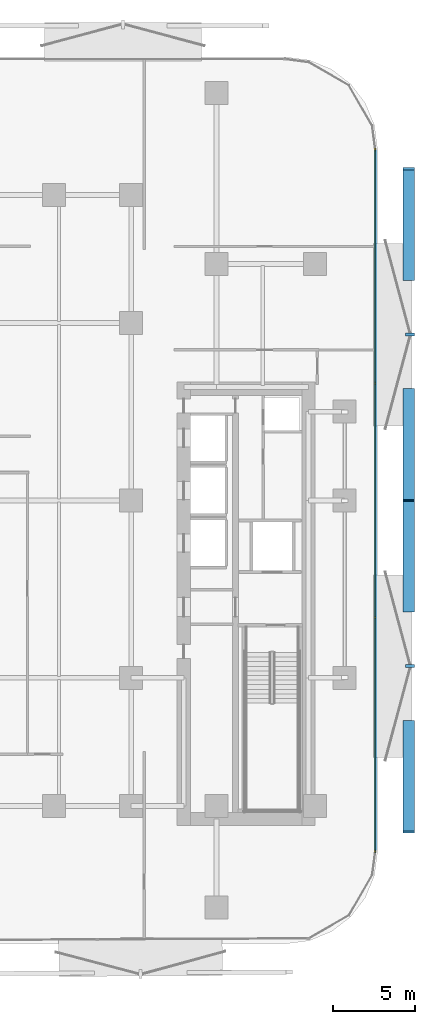
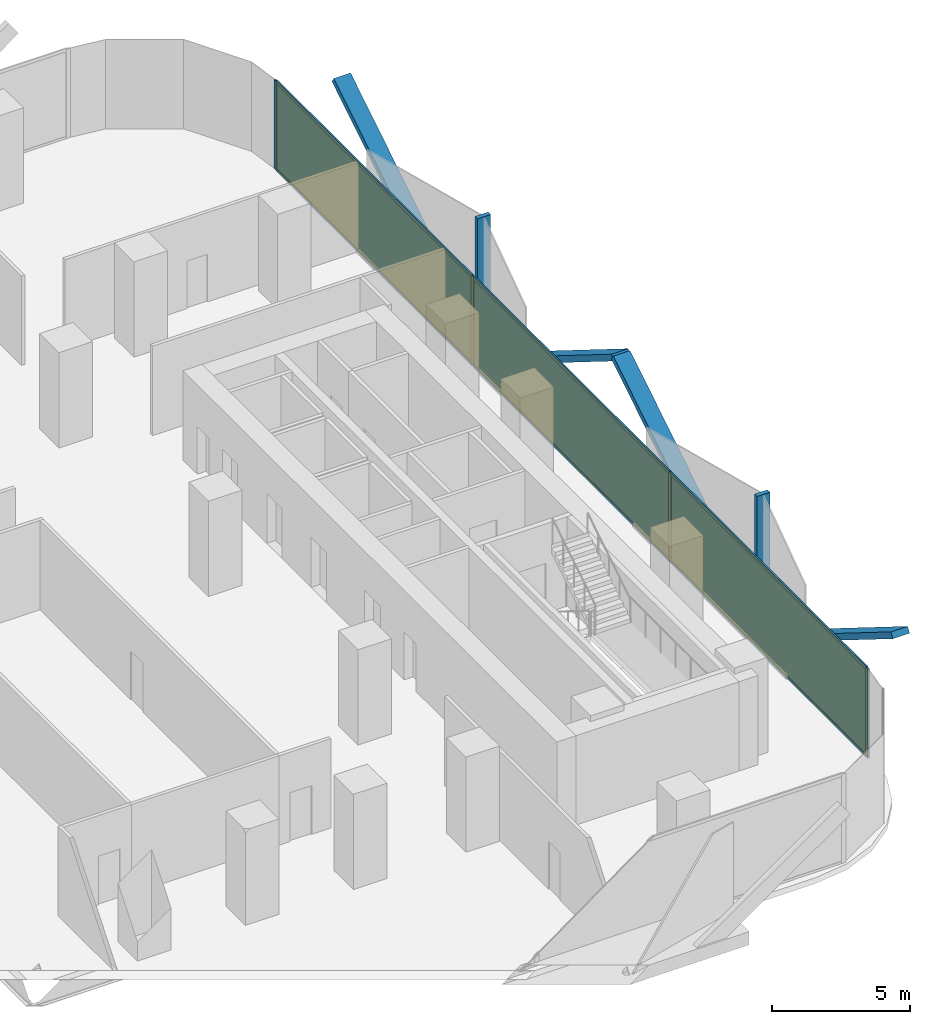
# One storey, part 9 of 15: 16 members, 3 plates, 1 curtain wall.
"""IFC4 building model written with IfcOpenShell, lengths in metres."""

import ifcopenshell
import ifcopenshell.guid

model = None  # the IFC model being written
_history = None  # IfcOwnerHistory: only IFC2X3 demands one
_inside = {}  # id of a spatial element -> (the spatial element, [elements in it])
_under = {}  # id of a project, library or spatial element -> (it, [spatial elements below it])
_declared = {}  # id of a project -> (the project, [libraries it declares])
_typed = {}  # id of a type object -> (the type object, [elements of that type])
_made_of = {}  # id of a material, layer set ... -> (it, [elements and type objects made of it])


def new_model(schema):
    """Start an empty IFC model of exactly this schema.

    Asked for "IFC4X3", IfcOpenShell would pick the latest addendum, in which some entities
    have other attributes; the version numbers below select the first issue.
    IFC2X3 requires an IfcOwnerHistory on every rooted entity: one is made here for all.
    """
    global model, _history
    if schema == "IFC4X3":
        model = ifcopenshell.file(schema_version=(4, 3, 0, 0))
    else:
        model = ifcopenshell.file(schema=schema)
    _inside.clear()
    _under.clear()
    _declared.clear()
    _typed.clear()
    _made_of.clear()
    _history = None
    if model.schema == "IFC2X3":
        org = make("IfcOrganization", Name="unknown")
        user = make(
            "IfcPersonAndOrganization",
            ThePerson=make("IfcPerson", FamilyName="unknown"),
            TheOrganization=org,
        )
        app = make(
            "IfcApplication",
            ApplicationDeveloper=org,
            Version="unknown",
            ApplicationFullName="unknown",
            ApplicationIdentifier="unknown",
        )
        _history = make(
            "IfcOwnerHistory",
            OwningUser=user,
            OwningApplication=app,
            ChangeAction="ADDED",
            CreationDate=0,
        )
    return model


def make(cls, **values):
    """One entity of the class cls with the attributes given. An attribute that is None is left unset."""
    return model.create_entity(
        cls, **{name: value for name, value in values.items() if value is not None}
    )


def rooted(cls, **values):
    """An entity with a GlobalId (a new one), such as an element, a storey or a relation."""
    return make(cls, GlobalId=ifcopenshell.guid.new(), OwnerHistory=_history, **values)


def si_unit(unit_type, name, prefix=None):
    """IfcSIUnit, for example si_unit("LENGTHUNIT", "METRE", prefix="MILLI")."""
    return make("IfcSIUnit", UnitType=unit_type, Prefix=prefix, Name=name)


def assignment(units):
    """IfcUnitAssignment: the units of a project."""
    return None if units is None else make("IfcUnitAssignment", Units=units)


def point(xyz):
    """IfcCartesianPoint."""
    return None if xyz is None else make("IfcCartesianPoint", Coordinates=xyz)


def direction(xyz):
    """IfcDirection."""
    return None if xyz is None else make("IfcDirection", DirectionRatios=xyz)


def frame(location, z_axis=None, x_axis=None):
    """IfcAxis2Placement3D, a coordinate frame: its origin and axes. An axis left out is left unset."""
    return make(
        "IfcAxis2Placement3D",
        Location=point(location),
        Axis=direction(z_axis),
        RefDirection=direction(x_axis),
    )


def frame_2d(location, x_axis=None):
    """IfcAxis2Placement2D, a coordinate frame in the plane: its origin and x axis."""
    return make(
        "IfcAxis2Placement2D", Location=point(location), RefDirection=direction(x_axis)
    )


def origin():
    """The frame at (0, 0, 0) with its axes left unset."""
    return frame((0.0, 0.0, 0.0))


def origin_2d():
    """The frame at (0, 0) in the plane with its x axis left unset."""
    return frame_2d((0.0, 0.0))


def place(relative_to, where):
    """IfcLocalPlacement: puts the frame where relative to a parent placement (None: the world)."""
    return make(
        "IfcLocalPlacement", PlacementRelTo=relative_to, RelativePlacement=where
    )


def context(
    kind, dimensions, precision=None, world=None, true_north=None, identifier=None
):
    """IfcGeometricRepresentationContext, for example the 3D "Model" context."""
    return make(
        "IfcGeometricRepresentationContext",
        ContextIdentifier=identifier,
        ContextType=kind,
        CoordinateSpaceDimension=dimensions,
        Precision=precision,
        WorldCoordinateSystem=world,
        TrueNorth=true_north,
    )


def subcontext(parent, identifier, kind, view, scale=None):
    """IfcGeometricRepresentationSubContext, for example "Body" below "Model"."""
    return make(
        "IfcGeometricRepresentationSubContext",
        ContextIdentifier=identifier,
        ContextType=kind,
        ParentContext=parent,
        TargetScale=scale,
        TargetView=view,
    )


def project(units=None, contexts=None):
    """IfcProject with its units and contexts."""
    return rooted(
        "IfcProject",
        Name="project",
        RepresentationContexts=contexts,
        UnitsInContext=assignment(units),
    )


def spatial(cls, under=None, at=None, **own):
    """A site, building, storey or space (cls), placed at a placement, below another one or the project."""
    s = rooted(cls, ObjectPlacement=at, **own)
    if under is not None:
        _under.setdefault(under.id(), (under, []))[1].append(s)
    return s


def profile(cls, at=None, kind="AREA", **sizes):
    """A parametric profile (cls). Its sizes go by their IFC names, for example OverallWidth=200.0."""
    return make(cls, ProfileType=kind, Position=at, **sizes)


def rectangle(**sizes):
    """IfcRectangleProfileDef."""
    return profile("IfcRectangleProfileDef", **sizes)


def extrude(swept, where, along, depth):
    """IfcExtrudedAreaSolid: the profile swept, set in the frame where, extruded along a direction by depth."""
    return make(
        "IfcExtrudedAreaSolid",
        SweptArea=swept,
        Position=where,
        ExtrudedDirection=direction(along),
        Depth=depth,
    )


def shape(context_of_items, identifier, shape_type, items):
    """IfcShapeRepresentation: the items that make up one representation, for example the "Body"."""
    return make(
        "IfcShapeRepresentation",
        ContextOfItems=context_of_items,
        RepresentationIdentifier=identifier,
        RepresentationType=shape_type,
        Items=items,
    )


def material(Name=None, Category=None):
    """IfcMaterial."""
    return make("IfcMaterial", Name=Name, Category=Category)


def layer(
    of_material, thickness, ventilated=None, Name=None, Category=None, Priority=None
):
    """IfcMaterialLayer: one layer of a wall or slab, of a material (None: an air gap)."""
    return make(
        "IfcMaterialLayer",
        Material=of_material,
        LayerThickness=thickness,
        IsVentilated=ventilated,
        Name=Name,
        Category=Category,
        Priority=Priority,
    )


def layer_set(layers, Name=None):
    """IfcMaterialLayerSet."""
    return make("IfcMaterialLayerSet", MaterialLayers=layers, LayerSetName=Name)


def material_profile(
    of_material, cross_section, Name=None, Category=None, Priority=None
):
    """IfcMaterialProfile: a cross section and its material."""
    return make(
        "IfcMaterialProfile",
        Name=Name,
        Material=of_material,
        Profile=cross_section,
        Priority=Priority,
        Category=Category,
    )


def profile_set(profiles, Name=None, composite=None):
    """IfcMaterialProfileSet."""
    return make(
        "IfcMaterialProfileSet",
        Name=Name,
        MaterialProfiles=profiles,
        CompositeProfile=composite,
    )


def made_of(thing, what):
    """Note that an element or type object is made of a material, layer set ...; save() writes the relation."""
    if what is not None:
        _made_of.setdefault(what.id(), (what, []))[1].append(thing)
    return thing


def type_object(cls, material=None, **own):
    """A type object (cls), such as IfcWallType, which elements share."""
    return made_of(rooted(cls, **own), material)


def element(
    cls,
    number,
    at=None,
    inside=None,
    cuts=None,
    type_object=None,
    material=None,
    context=None,
    identifier="Body",
    shape_type=None,
    held_by="IfcProductDefinitionShape",
    body=None,
    shapes=None,
    **own,
):
    """One element of the class cls, such as IfcWall. Its Tag is "e" and its number.

    at: its placement. inside: the storey or other place that contains it. cuts: it is an
    opening in that element (IfcRelVoidsElement). A single representation is given by context,
    identifier, shape_type and body (its items); several are given by shapes. held_by: the class
    of the entity that holds the representations. save() writes the other relations.
    """
    e = rooted(cls, Tag="e%d" % number, ObjectPlacement=at, **own)
    if body is not None:
        shapes = [shape(context, identifier, shape_type, body)]
    if shapes is not None:
        e.Representation = make(held_by, Representations=shapes)
    if inside is not None:
        _inside.setdefault(inside.id(), (inside, []))[1].append(e)
    if cuts is not None:
        rooted(
            "IfcRelVoidsElement", RelatingBuildingElement=cuts, RelatedOpeningElement=e
        )
    if type_object is not None:
        _typed.setdefault(type_object.id(), (type_object, []))[1].append(e)
    return made_of(e, material)


def aggregate(whole, parts):
    """IfcRelAggregates: a whole, such as a stair, and the parts it consists of."""
    return rooted("IfcRelAggregates", RelatingObject=whole, RelatedObjects=parts)


def save(model, path):
    """Write the relations noted so far, then the file.

    IfcRelAggregates (storeys below a building ...), IfcRelContainedInSpatialStructure (elements
    in a storey), IfcRelDefinesByType, IfcRelAssociatesMaterial and IfcRelDeclares: one each for
    every whole, place, type object, material and project.
    """
    for whole, parts in _under.values():
        aggregate(whole, parts)
    for where, things in _inside.values():
        rooted(
            "IfcRelContainedInSpatialStructure",
            RelatedElements=things,
            RelatingStructure=where,
        )
    for kind, things in _typed.values():
        rooted("IfcRelDefinesByType", RelatedObjects=things, RelatingType=kind)
    for what, things in _made_of.values():
        rooted("IfcRelAssociatesMaterial", RelatedObjects=things, RelatingMaterial=what)
    for by, libraries in _declared.values():
        rooted("IfcRelDeclares", RelatingContext=by, RelatedDefinitions=libraries)
    model.write(path)


model = new_model("IFC4")

# Units and contexts
model_context = context("Model", 3, precision=1e-05, world=origin(), true_north=direction((0.0, 1.0)))
body_context = subcontext(model_context, "Body", "Model", "MODEL_VIEW")
ifc_project = project(units=[si_unit("LENGTHUNIT", "METRE"), si_unit("AREAUNIT", "SQUARE_METRE"), si_unit("VOLUMEUNIT", "CUBIC_METRE"), si_unit("PLANEANGLEUNIT", "RADIAN"), si_unit("MASSUNIT", "GRAM", prefix="KILO")], contexts=[model_context])

# Member
ifc_material_1 = material(Name="Anodised Bronze Aluminium 6063-T6", Category="aluminium")
ifc_material_profile_1 = material_profile(ifc_material_1, rectangle(XDim=0.260009765625, YDim=0.699951171875, at=origin_2d()))
ifc_profile_set_1 = profile_set([ifc_material_profile_1], Name="Anodised Bronze Aluminium 6063-T6")
member_type_1 = type_object("IfcMemberType", Name="Bronze Diamond Solar-Screen Lattice Rib BDL-700", PredefinedType="MULLION", material=ifc_profile_set_1)
site_placement = place(None, origin())
building_placement = place(site_placement, origin())
storey_placement = place(building_placement, frame((0.0, 0.0, 47.0)))
member_1_placement = place(storey_placement, frame((26.10009765625, 6.730224609375, -0.1298828125), z_axis=(0.0, -0.848362902952, 0.529415134744), x_axis=(0.0, -0.529415134744, -0.848362902952)))
member_1 = element("IfcMember", 1, at=member_1_placement, type_object=member_type_1, Name="L11 Bronze Diamond Solar Screen Lattice Rib 47A", PredefinedType="MULLION", context=body_context, shape_type="SweptSolid", body=[
    extrude(rectangle(XDim=0.260009765625, YDim=0.699951171875, at=origin_2d()), origin(), (0.0, 0.0, 1.0), 7.93310546875),
])

member_2_placement = place(storey_placement, frame((26.10009765625, 13.46044921875, -0.1298828125), z_axis=(0.0, 0.848371528126, 0.529401313057), x_axis=(0.0, 0.529401313057, -0.848371528126)))
member_2 = element("IfcMember", 2, at=member_2_placement, type_object=member_type_1, Name="L11 Bronze Diamond Solar Screen Lattice Rib 47B", PredefinedType="MULLION", context=body_context, shape_type="SweptSolid", body=[
    extrude(rectangle(XDim=0.260009765625, YDim=0.699951171875, at=origin_2d()), origin(), (0.0, 0.0, 1.0), 7.933349609375),
])

member_3_placement = place(storey_placement, frame((26.10009765625, -13.46044921875, -0.1298828125), z_axis=(0.0, -0.848371528126, 0.529401313057), x_axis=(0.0, -0.529401313057, -0.848371528126)))
member_3 = element("IfcMember", 3, at=member_3_placement, type_object=member_type_1, Name="L11 Bronze Diamond Solar Screen Lattice Rib 48A", PredefinedType="MULLION", context=body_context, shape_type="SweptSolid", body=[
    extrude(rectangle(XDim=0.260009765625, YDim=0.699951171875, at=origin_2d()), origin(), (0.0, 0.0, 1.0), 7.933349609375),
])

member_4_placement = place(storey_placement, frame((26.10009765625, -6.730224609375, -0.1298828125), z_axis=(0.0, 0.848362902952, 0.529415134744), x_axis=(0.0, 0.529415134744, -0.848362902952)))
member_4 = element("IfcMember", 4, at=member_4_placement, type_object=member_type_1, Name="L11 Bronze Diamond Solar Screen Lattice Rib 48B", PredefinedType="MULLION", context=body_context, shape_type="SweptSolid", body=[
    extrude(rectangle(XDim=0.260009765625, YDim=0.699951171875, at=origin_2d()), origin(), (0.0, 0.0, 1.0), 7.93310546875),
])

ifc_material_2 = material(Name="Anodised Bronze Aluminium 6063-T6", Category="aluminium")
ifc_material_profile_2 = material_profile(ifc_material_2, rectangle(XDim=0.179931640625, YDim=0.5400390625, at=origin_2d()))
ifc_profile_set_2 = profile_set([ifc_material_profile_2], Name="Anodised Bronze Aluminium 6063-T6")
member_type_2 = type_object("IfcMemberType", Name="Bronze Solar-Screen Vertical Fold Fin BSF-540", PredefinedType="MULLION", material=ifc_profile_set_2)
member_5_placement = place(storey_placement, frame((26.179931640625, 10.095458984375, -0.1298828125), z_axis=(0.0, 0.0, 1.0), x_axis=(0.0, -1.0, 0.0)))
member_5 = element("IfcMember", 5, at=member_5_placement, type_object=member_type_2, Name="L11 Bronze Solar Screen Vertical Fin 47", PredefinedType="MULLION", context=body_context, shape_type="SweptSolid", body=[
    extrude(rectangle(XDim=0.179931640625, YDim=0.5400390625, at=origin_2d()), origin(), (0.0, 0.0, 1.0), 4.199951171875),
])

member_6_placement = place(storey_placement, frame((26.179931640625, -10.095458984375, -0.1298828125), z_axis=(0.0, 0.0, 1.0), x_axis=(0.0, -1.0, 0.0)))
member_6 = element("IfcMember", 6, at=member_6_placement, type_object=member_type_2, Name="L11 Bronze Solar Screen Vertical Fin 48", PredefinedType="MULLION", context=body_context, shape_type="SweptSolid", body=[
    extrude(rectangle(XDim=0.179931640625, YDim=0.5400390625, at=origin_2d()), origin(), (0.0, 0.0, 1.0), 4.199951171875),
])

ifc_material_3 = material(Name="Anodised Bronze Aluminium 6063-T6", Category="aluminium")
ifc_material_profile_3 = material_profile(ifc_material_3, rectangle(XDim=0.06494140625, YDim=0.179931640625, at=origin_2d()))
ifc_profile_set_3 = profile_set([ifc_material_profile_3], Name="Anodised Bronze Aluminium 6063-T6")
member_type_3 = type_object("IfcMemberType", Name="CW-Z1 Mullion 65x180", PredefinedType="MULLION", material=ifc_profile_set_3)
member_7_placement = place(storey_placement, frame((24.06005859375, 21.3583984375, 0.0), z_axis=(0.0, 0.0, 1.0), x_axis=(1.0, 0.0, 0.0)))
member_7 = element("IfcMember", 7, at=member_7_placement, type_object=member_type_3, Name="CW-Z1 mullion 1", PredefinedType="MULLION", context=body_context, shape_type="SweptSolid", body=[
    extrude(rectangle(XDim=0.06494140625, YDim=0.179931640625, at=origin_2d()), origin(), (0.0, 0.0, 1.0), 3.93994140625),
])

member_8_placement = place(storey_placement, frame((24.06005859375, 7.13037109375, 0.0), z_axis=(0.0, 0.0, 1.0), x_axis=(1.0, 0.0, 0.0)))
member_8 = element("IfcMember", 8, at=member_8_placement, type_object=member_type_3, Name="CW-Z1 mullion 2", PredefinedType="MULLION", context=body_context, shape_type="SweptSolid", body=[
    extrude(rectangle(XDim=0.06494140625, YDim=0.179931640625, at=origin_2d()), origin(), (0.0, 0.0, 1.0), 3.93994140625),
])

member_9_placement = place(storey_placement, frame((24.06005859375, -7.13037109375, 0.0), z_axis=(0.0, 0.0, 1.0), x_axis=(1.0, 0.0, 0.0)))
member_9 = element("IfcMember", 9, at=member_9_placement, type_object=member_type_3, Name="CW-Z1 mullion 3", PredefinedType="MULLION", context=body_context, shape_type="SweptSolid", body=[
    extrude(rectangle(XDim=0.06494140625, YDim=0.179931640625, at=origin_2d()), origin(), (0.0, 0.0, 1.0), 3.93994140625),
])

member_10_placement = place(storey_placement, frame((24.06005859375, -21.3583984375, 0.0), z_axis=(0.0, 0.0, 1.0), x_axis=(1.0, 0.0, 0.0)))
member_10 = element("IfcMember", 10, at=member_10_placement, type_object=member_type_3, Name="CW-Z1 mullion 4", PredefinedType="MULLION", context=body_context, shape_type="SweptSolid", body=[
    extrude(rectangle(XDim=0.06494140625, YDim=0.179931640625, at=origin_2d()), origin(), (0.0, 0.0, 1.0), 3.93994140625),
])

ifc_material_4 = material(Name="Anodised Bronze Aluminium 6063-T6", Category="aluminium")
ifc_material_profile_4 = material_profile(ifc_material_4, rectangle(XDim=0.06494140625, YDim=0.139892578125, at=origin_2d()))
ifc_profile_set_4 = profile_set([ifc_material_profile_4], Name="Anodised Bronze Aluminium 6063-T6")
member_type_4 = type_object("IfcMemberType", Name="CW-Z1 Transom 65x140", PredefinedType="USERDEFINED", material=ifc_profile_set_4)
member_11_placement = place(storey_placement, frame((24.06005859375, 21.32568359375, 0.032470703125), z_axis=(0.0, -1.0, 0.0), x_axis=(1.0, 0.0, 0.0)))
member_11 = element("IfcMember", 11, at=member_11_placement, type_object=member_type_4, Name="CW-Z1 transom 1.1", ObjectType="TRANSOM", PredefinedType="USERDEFINED", context=body_context, shape_type="SweptSolid", body=[
    extrude(rectangle(XDim=0.06494140625, YDim=0.139892578125, at=origin_2d()), origin(), (0.0, 0.0, 1.0), 14.162841796875),
])

member_12_placement = place(storey_placement, frame((24.06005859375, 21.32568359375, 3.907470703125), z_axis=(0.0, -1.0, 0.0), x_axis=(1.0, 0.0, 0.0)))
member_12 = element("IfcMember", 12, at=member_12_placement, type_object=member_type_4, Name="CW-Z1 transom 1.2", ObjectType="TRANSOM", PredefinedType="USERDEFINED", context=body_context, shape_type="SweptSolid", body=[
    extrude(rectangle(XDim=0.06494140625, YDim=0.139892578125, at=origin_2d()), origin(), (0.0, 0.0, 1.0), 14.162841796875),
])

member_13_placement = place(storey_placement, frame((24.06005859375, 7.09765625, 0.032470703125), z_axis=(0.0, -1.0, 0.0), x_axis=(1.0, 0.0, 0.0)))
member_13 = element("IfcMember", 13, at=member_13_placement, type_object=member_type_4, Name="CW-Z1 transom 2.1", ObjectType="TRANSOM", PredefinedType="USERDEFINED", context=body_context, shape_type="SweptSolid", body=[
    extrude(rectangle(XDim=0.06494140625, YDim=0.139892578125, at=origin_2d()), origin(), (0.0, 0.0, 1.0), 14.1953125),
])

member_14_placement = place(storey_placement, frame((24.06005859375, 7.09765625, 3.907470703125), z_axis=(0.0, -1.0, 0.0), x_axis=(1.0, 0.0, 0.0)))
member_14 = element("IfcMember", 14, at=member_14_placement, type_object=member_type_4, Name="CW-Z1 transom 2.2", ObjectType="TRANSOM", PredefinedType="USERDEFINED", context=body_context, shape_type="SweptSolid", body=[
    extrude(rectangle(XDim=0.06494140625, YDim=0.139892578125, at=origin_2d()), origin(), (0.0, 0.0, 1.0), 14.1953125),
])

member_15_placement = place(storey_placement, frame((24.06005859375, -7.162841796875, 0.032470703125), z_axis=(0.0, -1.0, 0.0), x_axis=(1.0, 0.0, 0.0)))
member_15 = element("IfcMember", 15, at=member_15_placement, type_object=member_type_4, Name="CW-Z1 transom 3.1", ObjectType="TRANSOM", PredefinedType="USERDEFINED", context=body_context, shape_type="SweptSolid", body=[
    extrude(rectangle(XDim=0.06494140625, YDim=0.139892578125, at=origin_2d()), origin(), (0.0, 0.0, 1.0), 14.162841796875),
])

member_16_placement = place(storey_placement, frame((24.06005859375, -7.162841796875, 3.907470703125), z_axis=(0.0, -1.0, 0.0), x_axis=(1.0, 0.0, 0.0)))
member_16 = element("IfcMember", 16, at=member_16_placement, type_object=member_type_4, Name="CW-Z1 transom 3.2", ObjectType="TRANSOM", PredefinedType="USERDEFINED", context=body_context, shape_type="SweptSolid", body=[
    extrude(rectangle(XDim=0.06494140625, YDim=0.139892578125, at=origin_2d()), origin(), (0.0, 0.0, 1.0), 14.162841796875),
])

# Plate
ifc_material_5 = material(Name="Low-E Solar Control Laminated Glass", Category="glass")
ifc_layer_1 = layer(ifc_material_5, 0.028076171875, Name="Low-E Solar Control Laminated Glass")
ifc_layer_set_1 = layer_set([ifc_layer_1], Name="Low-E Solar Control Laminated Glass")
plate_type = type_object("IfcPlateType", Name="CW-Z1 Low-E Double Glazed Panel 28mm", PredefinedType="CURTAIN_PANEL", material=ifc_layer_set_1)
plate_1_placement = place(storey_placement, frame((24.06005859375, 14.244384765625, 0.06494140625), z_axis=(0.0, 0.0, 1.0), x_axis=(0.0, -1.0, 0.0)))
plate_1 = element("IfcPlate", 17, at=plate_1_placement, type_object=plate_type, Name="CW-Z1 panel 1.1", PredefinedType="CURTAIN_PANEL", context=body_context, shape_type="SweptSolid", body=[
    extrude(rectangle(XDim=14.1630859375, YDim=0.028076171875, at=origin_2d()), origin(), (0.0, 0.0, 1.0), 3.81005859375),
])

plate_2_placement = place(storey_placement, frame((24.06005859375, 0.0, 0.06494140625), z_axis=(0.0, 0.0, 1.0), x_axis=(0.0, -1.0, 0.0)))
plate_2 = element("IfcPlate", 18, at=plate_2_placement, type_object=plate_type, Name="CW-Z1 panel 2.1", PredefinedType="CURTAIN_PANEL", context=body_context, shape_type="SweptSolid", body=[
    extrude(rectangle(XDim=14.195556640625, YDim=0.028076171875, at=origin_2d()), origin(), (0.0, 0.0, 1.0), 3.81005859375),
])

plate_3_placement = place(storey_placement, frame((24.06005859375, -14.244384765625, 0.06494140625), z_axis=(0.0, 0.0, 1.0), x_axis=(0.0, -1.0, 0.0)))
plate_3 = element("IfcPlate", 19, at=plate_3_placement, type_object=plate_type, Name="CW-Z1 panel 3.1", PredefinedType="CURTAIN_PANEL", context=body_context, shape_type="SweptSolid", body=[
    extrude(rectangle(XDim=14.1630859375, YDim=0.028076171875, at=origin_2d()), origin(), (0.0, 0.0, 1.0), 3.81005859375),
])

# Site, building, storey
site = spatial("IfcSite", under=ifc_project, at=site_placement, CompositionType="ELEMENT")
building = spatial("IfcBuilding", under=site, at=building_placement, Name="Khairoan Windgate Tower", CompositionType="ELEMENT")
storey = spatial("IfcBuildingStorey", under=building, at=storey_placement, Name="L11", CompositionType="ELEMENT", Elevation=47.0)

# Curtain wall
ifc_material_6 = material(Name="Anodised Bronze Aluminium 6063-T6", Category="aluminium")
ifc_layer_2 = layer(ifc_material_6, 0.179931640625, Name="Anodised Bronze Aluminium 6063-T6")
ifc_layer_set_2 = layer_set([ifc_layer_2], Name="Anodised Bronze Aluminium 6063-T6")
curtain_wall_type = type_object("IfcCurtainWallType", Name="Low-Rise Office Unitised Curtain Wall CW-Z1", PredefinedType="NOTDEFINED", material=ifc_layer_set_2)
curtain_wall_placement = place(storey_placement, frame((24.06005859375, 21.390869140625, 0.0), z_axis=(0.0, 0.0, 1.0), x_axis=(0.0, -1.0, 0.0)))
curtain_wall = element("IfcCurtainWall", 20, at=curtain_wall_placement, inside=storey, type_object=curtain_wall_type, Name="L11 Unitised Curtain Wall 16", PredefinedType="NOTDEFINED", context=body_context, shape_type="SweptSolid", body=[
    extrude(rectangle(XDim=42.78173828125, YDim=0.010009765625, at=frame_2d((21.390869140625, 0.0))), origin(), (0.0, 0.0, 1.0), 3.93994140625),
])

aggregate(curtain_wall, [member_7, member_8, member_9, member_10, member_11, member_12, plate_1, member_13, member_14, plate_2, member_15, member_16, plate_3, member_1, member_2, member_5, member_3, member_4, member_6])

save(model, "model.ifc")
